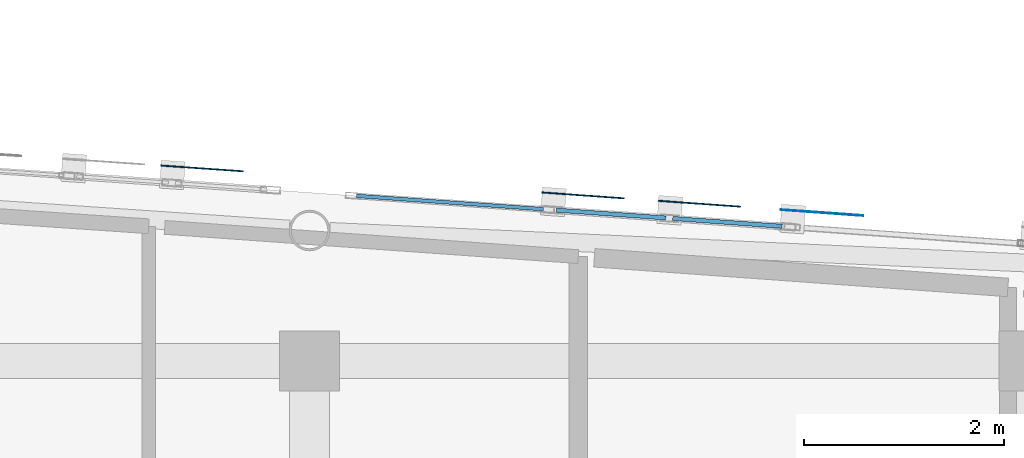
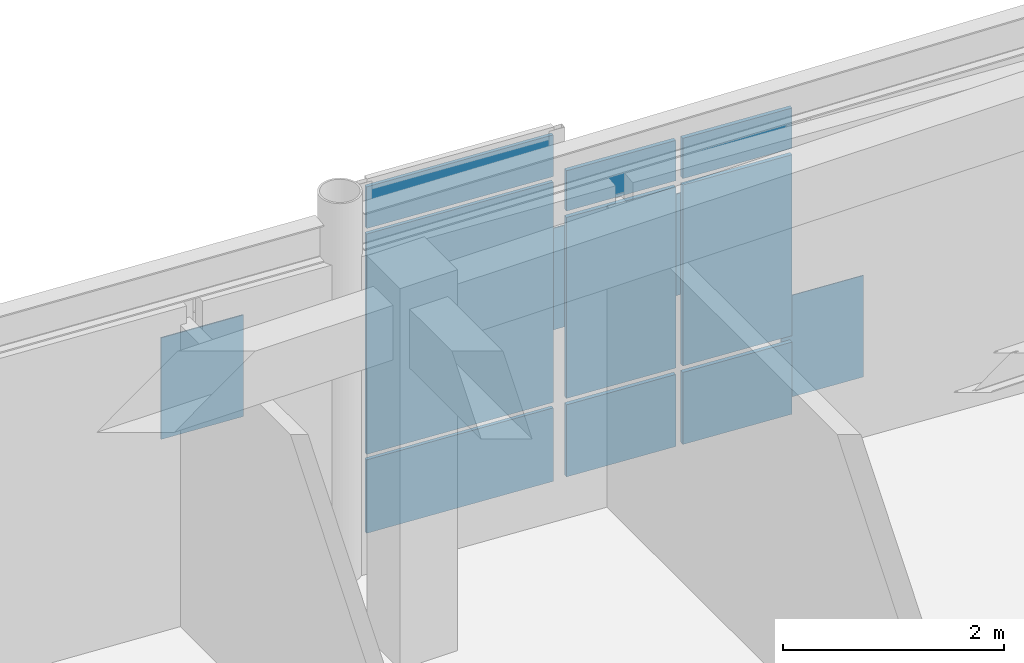
# One storey, part 75 of 113: 13 plates, 2 elements without a shape of their own.
"""IFC4 building model written with IfcOpenShell, lengths in metres."""

from ifc_helpers import new_model, si_unit, direction, frame, origin, origin_2d, place, context, subcontext, project, spatial, rectangle, extrude, material, layer, layer_set, type_object, element, aggregate, save


model = new_model("IFC4")

# Units and contexts
model_context = context("Model", 3, precision=1e-05, world=origin(), true_north=direction((0.0, 1.0)))
body_context = subcontext(model_context, "Body", "Model", "MODEL_VIEW")
ifc_project = project(units=[si_unit("LENGTHUNIT", "METRE"), si_unit("AREAUNIT", "SQUARE_METRE"), si_unit("VOLUMEUNIT", "CUBIC_METRE"), si_unit("PLANEANGLEUNIT", "RADIAN"), si_unit("MASSUNIT", "GRAM", prefix="KILO")], contexts=[model_context])

# Site, building, storey
site_placement = place(None, origin())
site = spatial("IfcSite", under=ifc_project, at=site_placement, CompositionType="ELEMENT")
building_placement = place(site_placement, origin())
building = spatial("IfcBuilding", under=site, at=building_placement, Name="Carrowvane Square Congress Hotel", CompositionType="ELEMENT")
storey_placement = place(building_placement, frame((0.0, 0.0, 15.0)))
storey = spatial("IfcBuildingStorey", under=building, at=storey_placement, Name="L03", CompositionType="ELEMENT", Elevation=15.0)

# Curtain wall, plates
ifc_material_1 = material(Name="Anodised aluminium", Category="aluminium")
ifc_layer_1 = layer(ifc_material_1, 0.162109375)
ifc_layer_set_1 = layer_set([ifc_layer_1], Name="Anodised aluminium")
curtain_wall_type_1 = type_object("IfcCurtainWallType", Name="CW-SYS-1", PredefinedType="NOTDEFINED", material=ifc_layer_set_1)
curtain_wall_1_placement = place(storey_placement, origin())
curtain_wall_1 = element("IfcCurtainWall", 1, at=curtain_wall_1_placement, inside=storey, type_object=curtain_wall_type_1, Name="L03 unitised curtain wall 232", PredefinedType="NOTDEFINED")
ifc_material_2 = material(Name="Double-glazed low-E glass", Category="glass")
ifc_layer_2 = layer(ifc_material_2, 0.035888671875)
ifc_layer_set_2 = layer_set([ifc_layer_2], Name="Double-glazed low-E glass")
plate_type_1 = type_object("IfcPlateType", Name="CW-PAN-3", PredefinedType="CURTAIN_PANEL", material=ifc_layer_set_2)
plate_1_placement = place(storey_placement, frame((135.4052734375, 114.986083984375, 0.06005859375), z_axis=(0.0, 0.0, 1.0), x_axis=(0.997479171673, -0.070959862453, 0.0)))
plate_1 = element("IfcPlate", 2, at=plate_1_placement, type_object=plate_type_1, Name="CW-1 panel 1.1", PredefinedType="CURTAIN_PANEL", context=body_context, shape_type="SweptSolid", body=[
    extrude(rectangle(XDim=1.87451171875, YDim=0.035888671875, at=origin_2d()), origin(), (0.0, 0.0, 1.0), 0.81005859375),
])
plate_2_placement = place(storey_placement, frame((135.4052734375, 114.986083984375, 0.93017578125), z_axis=(0.0, 0.0, 1.0), x_axis=(0.997479171673, -0.070959862453, 0.0)))
plate_2 = element("IfcPlate", 3, at=plate_2_placement, type_object=plate_type_1, Name="CW-1 panel 1.2", PredefinedType="CURTAIN_PANEL", context=body_context, shape_type="SweptSolid", body=[
    extrude(rectangle(XDim=1.87451171875, YDim=0.035888671875, at=origin_2d()), origin(), (0.0, 0.0, 1.0), 2.429931640625),
])
plate_3_placement = place(storey_placement, frame((135.4052734375, 114.986083984375, 3.419921875), z_axis=(0.0, 0.0, 1.0), x_axis=(0.997479171673, -0.070959862453, 0.0)))
plate_3 = element("IfcPlate", 4, at=plate_3_placement, type_object=plate_type_1, Name="CW-1 panel 1.3", PredefinedType="CURTAIN_PANEL", context=body_context, shape_type="SweptSolid", body=[
    extrude(rectangle(XDim=1.87451171875, YDim=0.035888671875, at=origin_2d()), origin(), (0.0, 0.0, 1.0), 0.4599609375),
])
aggregate(curtain_wall_1, [plate_1, plate_2, plate_3])

ifc_material_3 = material(Name="Anodised aluminium", Category="aluminium")
ifc_layer_3 = layer(ifc_material_3, 0.174072265625)
ifc_layer_set_3 = layer_set([ifc_layer_3], Name="Anodised aluminium")
curtain_wall_type_2 = type_object("IfcCurtainWallType", Name="CW-SYS-2", PredefinedType="NOTDEFINED", material=ifc_layer_set_3)
curtain_wall_2_placement = place(storey_placement, origin())
curtain_wall_2 = element("IfcCurtainWall", 5, at=curtain_wall_2_placement, inside=storey, type_object=curtain_wall_type_2, Name="L03 unitised curtain wall 233", PredefinedType="NOTDEFINED")
ifc_material_4 = material(Name="Double-glazed low-E glass", Category="glass")
ifc_layer_4 = layer(ifc_material_4, 0.0419921875)
ifc_layer_set_4 = layer_set([ifc_layer_4], Name="Double-glazed low-E glass")
plate_type_2 = type_object("IfcPlateType", Name="CW-PAN-4", PredefinedType="CURTAIN_PANEL", material=ifc_layer_set_4)
plate_4_placement = place(storey_placement, frame((137.017578125, 114.870849609375, 0.070068359375), z_axis=(0.0, 0.0, 1.0), x_axis=(0.997438322595, -0.071531759512, 0.0)))
plate_4 = element("IfcPlate", 6, at=plate_4_placement, type_object=plate_type_2, Name="CW-2 panel 1.1", PredefinedType="CURTAIN_PANEL", context=body_context, shape_type="SweptSolid", body=[
    extrude(rectangle(XDim=1.09814453125, YDim=0.0419921875, at=origin_2d()), origin(), (0.0, 0.0, 1.0), 0.794921875),
])
plate_5_placement = place(storey_placement, frame((137.017578125, 114.870849609375, 0.93505859375), z_axis=(0.0, 0.0, 1.0), x_axis=(0.997438322595, -0.071531759512, 0.0)))
plate_5 = element("IfcPlate", 7, at=plate_5_placement, type_object=plate_type_2, Name="CW-2 panel 1.2", PredefinedType="CURTAIN_PANEL", context=body_context, shape_type="SweptSolid", body=[
    extrude(rectangle(XDim=1.09814453125, YDim=0.0419921875, at=origin_2d()), origin(), (0.0, 0.0, 1.0), 1.99560546875),
])
plate_6_placement = place(storey_placement, frame((137.017578125, 114.870849609375, 3.00048828125), z_axis=(0.0, 0.0, 1.0), x_axis=(0.997438322595, -0.071531759512, 0.0)))
plate_6 = element("IfcPlate", 8, at=plate_6_placement, type_object=plate_type_2, Name="CW-2 panel 1.3", PredefinedType="CURTAIN_PANEL", context=body_context, shape_type="SweptSolid", body=[
    extrude(rectangle(XDim=1.09814453125, YDim=0.0419921875, at=origin_2d()), origin(), (0.0, 0.0, 1.0), 0.445068359375),
])
plate_7_placement = place(storey_placement, frame((138.1826171875, 114.787353515625, 0.070068359375), z_axis=(0.0, 0.0, 1.0), x_axis=(0.997438322595, -0.071531759512, 0.0)))
plate_7 = element("IfcPlate", 9, at=plate_7_placement, type_object=plate_type_2, Name="CW-2 panel 2.1", PredefinedType="CURTAIN_PANEL", context=body_context, shape_type="SweptSolid", body=[
    extrude(rectangle(XDim=1.09814453125, YDim=0.0419921875, at=origin_2d()), origin(), (0.0, 0.0, 1.0), 0.794921875),
])
plate_8_placement = place(storey_placement, frame((138.1826171875, 114.787353515625, 0.93505859375), z_axis=(0.0, 0.0, 1.0), x_axis=(0.997438322595, -0.071531759512, 0.0)))
plate_8 = element("IfcPlate", 10, at=plate_8_placement, type_object=plate_type_2, Name="CW-2 panel 2.2", PredefinedType="CURTAIN_PANEL", context=body_context, shape_type="SweptSolid", body=[
    extrude(rectangle(XDim=1.09814453125, YDim=0.0419921875, at=origin_2d()), origin(), (0.0, 0.0, 1.0), 1.99560546875),
])
plate_9_placement = place(storey_placement, frame((138.1826171875, 114.787353515625, 3.00048828125), z_axis=(0.0, 0.0, 1.0), x_axis=(0.997438322595, -0.071531759512, 0.0)))
plate_9 = element("IfcPlate", 11, at=plate_9_placement, type_object=plate_type_2, Name="CW-2 panel 2.3", PredefinedType="CURTAIN_PANEL", context=body_context, shape_type="SweptSolid", body=[
    extrude(rectangle(XDim=1.09814453125, YDim=0.0419921875, at=origin_2d()), origin(), (0.0, 0.0, 1.0), 0.445068359375),
])
aggregate(curtain_wall_2, [plate_4, plate_5, plate_6, plate_7, plate_8, plate_9])

# Plates
ifc_material_5 = material(Name="Champagne-gold anodised aluminium", Category="aluminium")
ifc_layer_5 = layer(ifc_material_5, 0.011962890625)
ifc_layer_set_5 = layer_set([ifc_layer_5], Name="Champagne-gold anodised aluminium")
plate_type_3 = type_object("IfcPlateType", Name="PLT-PIX-GOLD12", PredefinedType="SHEET", material=ifc_layer_set_5)
for number, where, z_axis, x_axis, name in (
    (12, (132.922119140625, 115.32763671875, 1.58984375), (0.0, 0.0, 1.0), (0.997566258056, -0.069724893606, 0.0), "Champagne-gold pixel screen plate 252"),
    (13, (136.73583984375, 115.0576171875, 1.58984375), (0.0, 0.0, 1.0), (0.997438267187, -0.071532532122, 0.0), "Champagne-gold pixel screen plate 253"),
    (14, (137.90087890625, 114.97412109375, 1.58984375), (0.0, 0.0, 1.0), (0.997438267187, -0.071532532122, 0.0), "Champagne-gold pixel screen plate 254"),
):
    element("IfcPlate", number, at=place(storey_placement, frame(where, z_axis=z_axis, x_axis=x_axis)), inside=storey, type_object=plate_type_3, Name=name, PredefinedType="SHEET", context=body_context, shape_type="SweptSolid", body=[
        extrude(rectangle(XDim=0.827880859375, YDim=0.011962890625, at=origin_2d()), origin(), (0.0, 0.0, 1.0), 1.1201171875),
    ])
ifc_material_6 = material(Name="Champagne-gold anodised aluminium", Category="aluminium")
ifc_layer_6 = layer(ifc_material_6, 0.008056640625)
ifc_layer_set_6 = layer_set([ifc_layer_6], Name="Champagne-gold anodised aluminium")
plate_type_4 = type_object("IfcPlateType", Name="PLT-PIX-GOLD8", PredefinedType="SHEET", material=ifc_layer_set_6)
plate_10_placement = place(storey_placement, frame((139.130615234375, 114.8837890625, 0.119873046875), z_axis=(0.0, 0.0, 1.0), x_axis=(0.997446326449, -0.071420066188, 0.0)))
element("IfcPlate", 15, at=plate_10_placement, inside=storey, type_object=plate_type_4, Name="Champagne-gold pixel screen plate 255", PredefinedType="SHEET", context=body_context, shape_type="SweptSolid", body=[
    extrude(rectangle(XDim=0.827880859375, YDim=0.008056640625, at=origin_2d()), origin(), (0.0, 0.0, 1.0), 1.1201171875),
])

save(model, "model.ifc")
